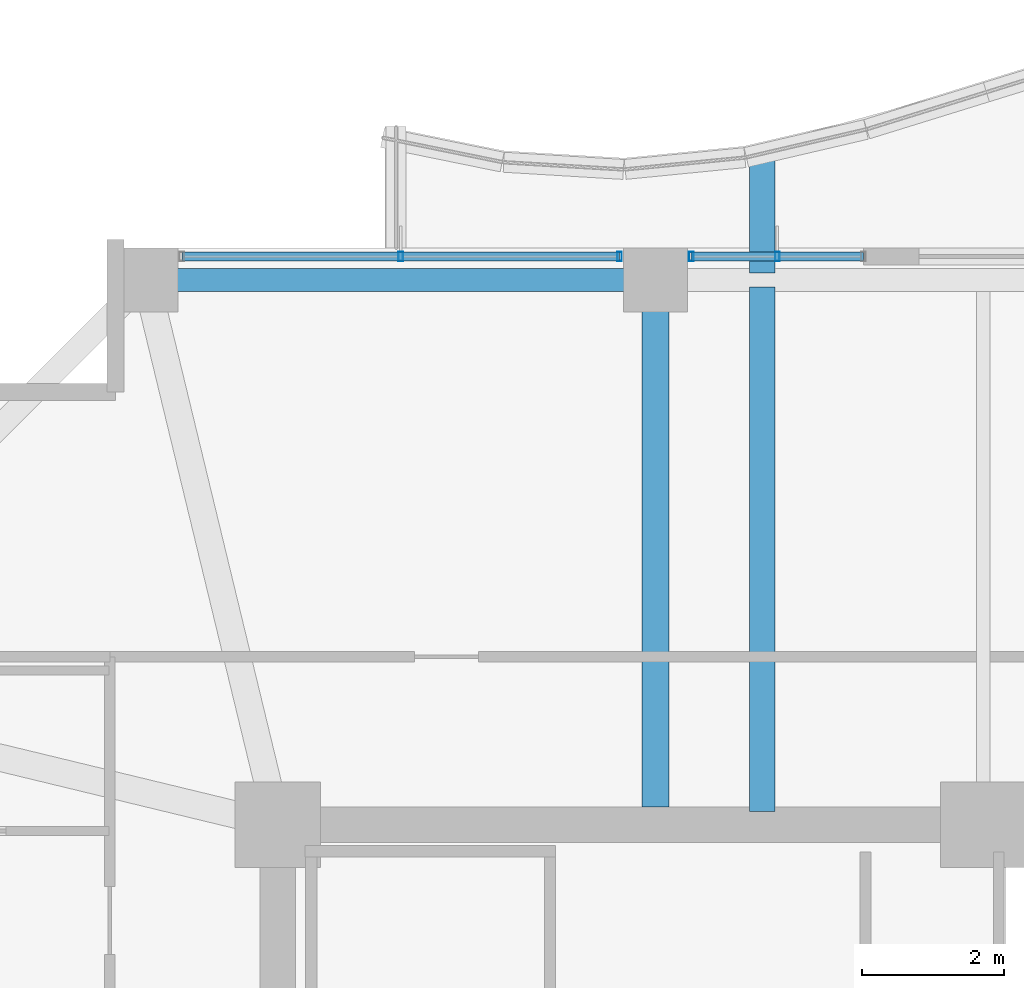
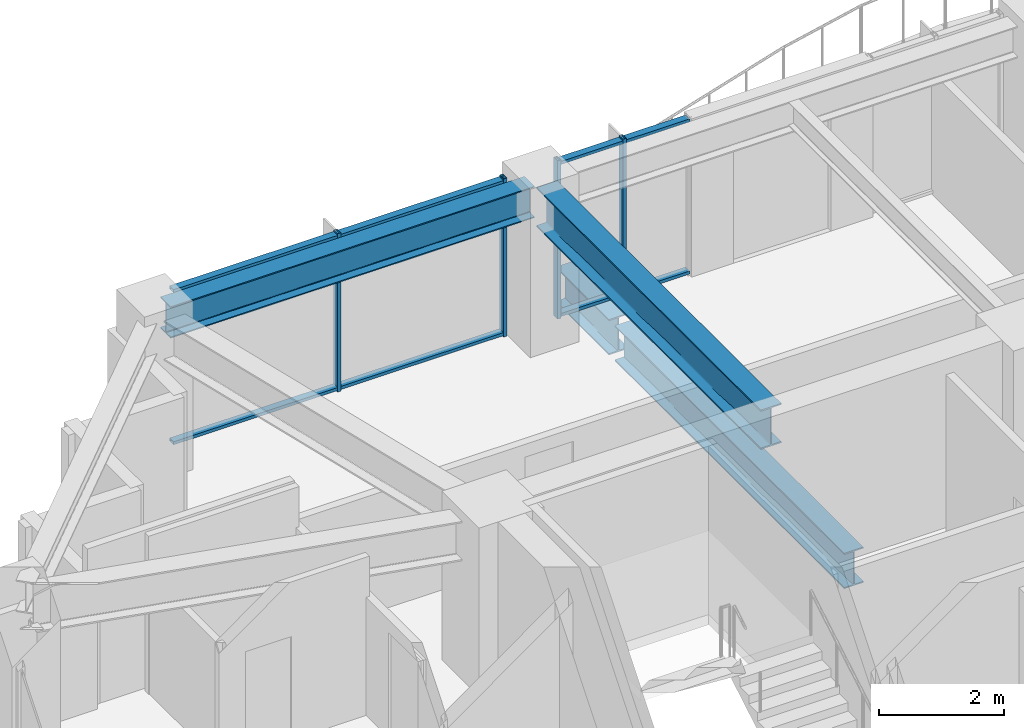
# One storey, part 17 of 31: 8 members, 4 beams, 2 elements without a shape of their own.
"""IFC4 building model written with IfcOpenShell, lengths in metres."""

from ifc_helpers import new_model, si_unit, direction, frame, origin, origin_2d, place, context, subcontext, project, spatial, hollow_rectangle, i_section, extrude, material, material_profile, profile_set, type_object, element, aggregate, save


model = new_model("IFC4")

# Units and contexts
model_context = context("Model", 3, precision=1e-05, world=origin(), true_north=direction((0.0, 1.0)))
body_context = subcontext(model_context, "Body", "Model", "MODEL_VIEW")
ifc_project = project(units=[si_unit("LENGTHUNIT", "METRE"), si_unit("AREAUNIT", "SQUARE_METRE"), si_unit("VOLUMEUNIT", "CUBIC_METRE"), si_unit("PLANEANGLEUNIT", "RADIAN"), si_unit("MASSUNIT", "GRAM", prefix="KILO")], contexts=[model_context])

# Site, building, storey
site_placement = place(None, origin())
site = spatial("IfcSite", under=ifc_project, at=site_placement, CompositionType="ELEMENT")
building_placement = place(site_placement, origin())
building = spatial("IfcBuilding", under=site, at=building_placement, Name="Kolvaren Belvedere", CompositionType="ELEMENT")
storey_placement = place(building_placement, frame((0.0, 0.0, 131.60009765625)))
storey = spatial("IfcBuildingStorey", under=building, at=storey_placement, Name="L38", CompositionType="ELEMENT", Elevation=131.60009765625)

# Beams
ifc_material_1 = material(Name="Structural steel ASTM A992 Grade 50", Category="steel")
ifc_material_profile_1 = material_profile(ifc_material_1, i_section(OverallWidth=0.35498046875, OverallDepth=0.696044921875, WebThickness=0.015380859375, FlangeThickness=0.02490234375, FilletRadius=0.02197265625, at=origin_2d()), Name="W27X146")
ifc_profile_set_1 = profile_set([ifc_material_profile_1], Name="Structural steel ASTM A992 Grade 50")
beam_type_1 = type_object("IfcBeamType", Name="BM-CANT-BAL", PredefinedType="BEAM", material=ifc_profile_set_1)
beam_1_placement = place(storey_placement, frame((-3.10009765625, 17.64501953125, -0.548095703125), z_axis=(0.0, 1.0, 0.0), x_axis=(-1.0, 0.0, 0.0)))
element("IfcBeam", 1, at=beam_1_placement, inside=storey, type_object=beam_type_1, Name="L38 Planted Balcony Cantilever BAL-N-1", PredefinedType="BEAM", context=body_context, shape_type="SweptSolid", body=[
    extrude(i_section(OverallWidth=0.35498046875, OverallDepth=0.696044921875, WebThickness=0.015380859375, FlangeThickness=0.02490234375, FilletRadius=0.02197265625, at=origin_2d()), origin(), (0.0, 0.0, 1.0), 1.70361328125),
])
ifc_material_2 = material(Name="Structural steel ASTM A992 Grade 50", Category="steel")
ifc_material_profile_2 = material_profile(ifc_material_2, i_section(OverallWidth=0.35498046875, OverallDepth=0.696044921875, WebThickness=0.015380859375, FlangeThickness=0.02490234375, FilletRadius=0.02197265625, at=origin_2d()), Name="W27X146")
ifc_profile_set_2 = profile_set([ifc_material_profile_2], Name="Structural steel ASTM A992 Grade 50")
beam_type_2 = type_object("IfcBeamType", Name="BM-GIRD-W27X146", PredefinedType="BEAM", material=ifc_profile_set_2)
beam_2_placement = place(storey_placement, frame((-3.10009765625, 10.090087890625, -0.548095703125), z_axis=(0.0, 1.0, 0.0), x_axis=(-1.0, 0.0, 0.0)))
element("IfcBeam", 2, at=beam_2_placement, inside=storey, type_object=beam_type_2, Name="L38 Balcony Interior Back-Span Girder BAL-N-1", PredefinedType="BEAM", context=body_context, shape_type="SweptSolid", body=[
    extrude(i_section(OverallWidth=0.35498046875, OverallDepth=0.696044921875, WebThickness=0.015380859375, FlangeThickness=0.02490234375, FilletRadius=0.02197265625, at=origin_2d()), origin(), (0.0, 0.0, 1.0), 7.364990234375),
])
ifc_material_3 = material(Name="Structural steel ASTM A992 Grade 50", Category="steel")
ifc_material_profile_3 = material_profile(ifc_material_3, i_section(OverallWidth=0.381103515625, OverallDepth=0.77294921875, WebThickness=0.0166015625, FlangeThickness=0.027099609375, FilletRadius=0.02392578125, at=origin_2d()), Name="W30X173")
ifc_profile_set_3 = profile_set([ifc_material_profile_3], Name="Structural steel ASTM A992 Grade 50")
beam_type_3 = type_object("IfcBeamType", Name="BM-GIRD-W30X173", PredefinedType="BEAM", material=ifc_profile_set_3)
beam_3_placement = place(storey_placement, frame((-4.60009765625, 10.14990234375, 2.71337890625), z_axis=(0.0, 1.0, 0.0), x_axis=(-1.0, 0.0, 0.0)))
element("IfcBeam", 3, at=beam_3_placement, inside=storey, type_object=beam_type_3, Name="L38 North Radial Girder M", PredefinedType="BEAM", context=body_context, shape_type="SweptSolid", body=[
    extrude(i_section(OverallWidth=0.381103515625, OverallDepth=0.77294921875, WebThickness=0.0166015625, FlangeThickness=0.027099609375, FilletRadius=0.02392578125, at=origin_2d()), origin(), (0.0, 0.0, 1.0), 7.197509765625),
])
ifc_material_4 = material(Name="Structural steel ASTM A992 Grade 50", Category="steel")
ifc_material_profile_4 = material_profile(ifc_material_4, i_section(OverallWidth=0.324951171875, OverallDepth=0.615966796875, WebThickness=0.013916015625, FlangeThickness=0.021484375, FilletRadius=0.02001953125, at=origin_2d()), Name="W24X117")
ifc_profile_set_4 = profile_set([ifc_material_profile_4], Name="Structural steel ASTM A992 Grade 50")
beam_type_4 = type_object("IfcBeamType", Name="BM-SPAN-W24X117", PredefinedType="SPANDREL", material=ifc_profile_set_4)
beam_4_placement = place(storey_placement, frame((-4.802490234375, 17.550048828125, 2.7919921875), z_axis=(-1.0, 0.0, 0.0), x_axis=(0.0, -1.0, 0.0)))
element("IfcBeam", 4, at=beam_4_placement, inside=storey, type_object=beam_type_4, Name="L38 Perimeter Spandrel N2-N1", PredefinedType="SPANDREL", context=body_context, shape_type="SweptSolid", body=[
    extrude(i_section(OverallWidth=0.324951171875, OverallDepth=0.615966796875, WebThickness=0.013916015625, FlangeThickness=0.021484375, FilletRadius=0.02001953125, at=origin_2d()), origin(), (0.0, 0.0, 1.0), 6.7451171875),
])

# Curtain wall, members
ifc_material_5 = material(Name="Anodised pale-metal aluminium AA 6063-T6", Category="aluminium")
curtain_wall_type = type_object("IfcCurtainWallType", Name="CW-Z3-WAIST", PredefinedType="NOTDEFINED", material=ifc_material_5)
curtain_wall_1_placement = place(storey_placement, origin())
curtain_wall_1 = element("IfcCurtainWall", 5, at=curtain_wall_1_placement, inside=storey, type_object=curtain_wall_type, Name="L38 Unitised Curtain Wall FCW-L38-N1-B1", PredefinedType="NOTDEFINED")
ifc_material_6 = material(Name="Anodised pale-metal aluminium AA 6063-T6", Category="aluminium")
ifc_material_profile_5 = material_profile(ifc_material_6, hollow_rectangle(XDim=0.06494140625, YDim=0.1298828125, WallThickness=0.00390625, at=origin_2d()), Name="ALU-MUL-130X65")
ifc_profile_set_5 = profile_set([ifc_material_profile_5], Name="Anodised pale-metal aluminium AA 6063-T6")
member_type_1 = type_object("IfcMemberType", Name="CW-MUL-130", PredefinedType="MULLION", material=ifc_profile_set_5)
member_1_placement = place(storey_placement, frame((-8.175048828125, 17.8798828125, 0.0), z_axis=(0.0, 0.0, 1.0), x_axis=(1.0, 0.0, 0.0)))
member_1 = element("IfcMember", 6, at=member_1_placement, type_object=member_type_1, Name="FCW-L38-N1-B1 Unitised Mullion 2", PredefinedType="MULLION", context=body_context, shape_type="SweptSolid", body=[
    extrude(hollow_rectangle(XDim=0.06494140625, YDim=0.1298828125, WallThickness=0.00390625, at=origin_2d()), origin(), (0.0, 0.0, 1.0), 3.099853515625),
])
member_2_placement = place(storey_placement, frame((-5.1025390625, 17.8798828125, 0.0), z_axis=(0.0, 0.0, 1.0), x_axis=(1.0, 0.0, 0.0)))
member_2 = element("IfcMember", 7, at=member_2_placement, type_object=member_type_1, Name="FCW-L38-N1-B1 Unitised Mullion 3", PredefinedType="MULLION", context=body_context, shape_type="SweptSolid", body=[
    extrude(hollow_rectangle(XDim=0.06494140625, YDim=0.1298828125, WallThickness=0.00390625, at=origin_2d()), origin(), (0.0, 0.0, 1.0), 3.099853515625),
])

curtain_wall_2_placement = place(storey_placement, origin())
curtain_wall_2 = element("IfcCurtainWall", 8, at=curtain_wall_2_placement, inside=storey, type_object=curtain_wall_type, Name="L38 Unitised Curtain Wall FCW-L38-N1-B2", PredefinedType="NOTDEFINED")
member_3_placement = place(storey_placement, frame((-4.097412109375, 17.8798828125, 0.0), z_axis=(0.0, 0.0, 1.0), x_axis=(1.0, 0.0, 0.0)))
member_3 = element("IfcMember", 9, at=member_3_placement, type_object=member_type_1, Name="FCW-L38-N1-B2 Unitised Mullion 1", PredefinedType="MULLION", context=body_context, shape_type="SweptSolid", body=[
    extrude(hollow_rectangle(XDim=0.06494140625, YDim=0.1298828125, WallThickness=0.00390625, at=origin_2d()), origin(), (0.0, 0.0, 1.0), 3.099853515625),
])
member_4_placement = place(storey_placement, frame((-2.888671875, 17.8798828125, 0.0), z_axis=(0.0, 0.0, 1.0), x_axis=(1.0, 0.0, 0.0)))
member_4 = element("IfcMember", 10, at=member_4_placement, type_object=member_type_1, Name="FCW-L38-N1-B2 Unitised Mullion 2", PredefinedType="MULLION", context=body_context, shape_type="SweptSolid", body=[
    extrude(hollow_rectangle(XDim=0.06494140625, YDim=0.1298828125, WallThickness=0.00390625, at=origin_2d()), origin(), (0.0, 0.0, 1.0), 3.099853515625),
])

# Member
ifc_material_7 = material(Name="Anodised pale-metal aluminium AA 6063-T6", Category="aluminium")
ifc_material_profile_6 = material_profile(ifc_material_7, hollow_rectangle(XDim=0.06005859375, YDim=0.1298828125, WallThickness=0.00390625, at=origin_2d()), Name="ALU-TRN-130X60")
ifc_profile_set_6 = profile_set([ifc_material_profile_6], Name="Anodised pale-metal aluminium AA 6063-T6")
member_type_2 = type_object("IfcMemberType", Name="CW-TRN-130", PredefinedType="USERDEFINED", material=ifc_profile_set_6)
member_5_placement = place(storey_placement, frame((-11.24755859375, 17.8798828125, 0.059814453125), z_axis=(1.0, 0.0, 0.0), x_axis=(0.0, 0.0, 1.0)))
member_5 = element("IfcMember", 11, at=member_5_placement, type_object=member_type_2, Name="FCW-L38-N1-B1 Sill Transom", ObjectType="TRANSOM", PredefinedType="USERDEFINED", context=body_context, shape_type="SweptSolid", body=[
    extrude(hollow_rectangle(XDim=0.06005859375, YDim=0.1298828125, WallThickness=0.00390625, at=origin_2d()), origin(), (0.0, 0.0, 1.0), 6.14501953125),
])

member_6_placement = place(storey_placement, frame((-11.24755859375, 17.8798828125, 3.039794921875), z_axis=(1.0, 0.0, 0.0), x_axis=(0.0, 0.0, 1.0)))
member_6 = element("IfcMember", 12, at=member_6_placement, type_object=member_type_2, Name="FCW-L38-N1-B1 Head Transom", ObjectType="TRANSOM", PredefinedType="USERDEFINED", context=body_context, shape_type="SweptSolid", body=[
    extrude(hollow_rectangle(XDim=0.06005859375, YDim=0.1298828125, WallThickness=0.00390625, at=origin_2d()), origin(), (0.0, 0.0, 1.0), 6.14501953125),
])

aggregate(curtain_wall_1, [member_1, member_2, member_5, member_6])

member_7_placement = place(storey_placement, frame((-4.097412109375, 17.8798828125, 0.059814453125), z_axis=(1.0, 0.0, 0.0), x_axis=(0.0, 0.0, 1.0)))
member_7 = element("IfcMember", 13, at=member_7_placement, type_object=member_type_2, Name="FCW-L38-N1-B2 Sill Transom", ObjectType="TRANSOM", PredefinedType="USERDEFINED", context=body_context, shape_type="SweptSolid", body=[
    extrude(hollow_rectangle(XDim=0.06005859375, YDim=0.1298828125, WallThickness=0.00390625, at=origin_2d()), origin(), (0.0, 0.0, 1.0), 2.41748046875),
])

member_8_placement = place(storey_placement, frame((-4.097412109375, 17.8798828125, 3.039794921875), z_axis=(1.0, 0.0, 0.0), x_axis=(0.0, 0.0, 1.0)))
member_8 = element("IfcMember", 14, at=member_8_placement, type_object=member_type_2, Name="FCW-L38-N1-B2 Head Transom", ObjectType="TRANSOM", PredefinedType="USERDEFINED", context=body_context, shape_type="SweptSolid", body=[
    extrude(hollow_rectangle(XDim=0.06005859375, YDim=0.1298828125, WallThickness=0.00390625, at=origin_2d()), origin(), (0.0, 0.0, 1.0), 2.41748046875),
])

aggregate(curtain_wall_2, [member_3, member_4, member_7, member_8])

save(model, "model.ifc")
